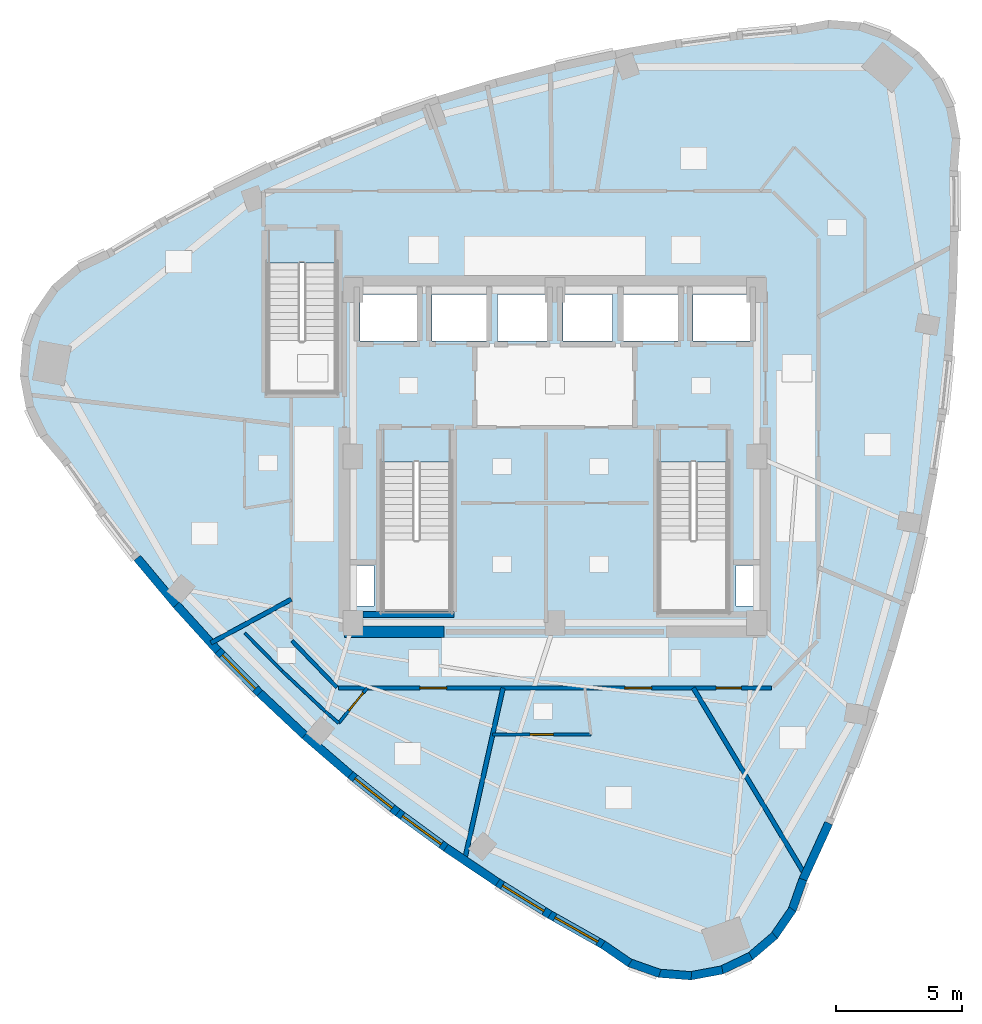
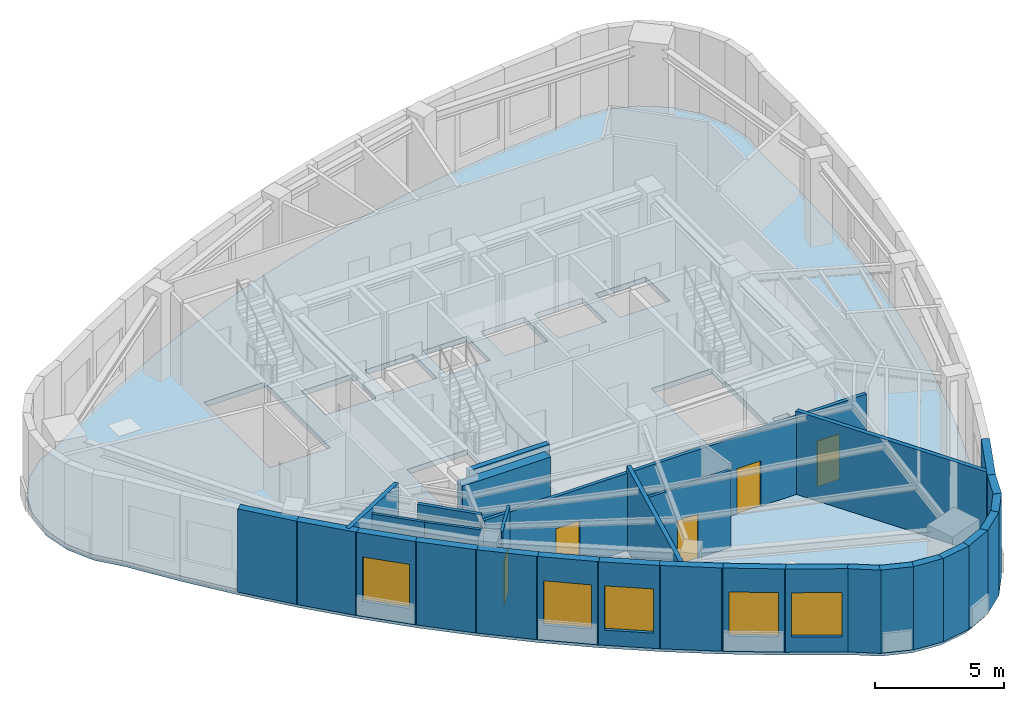
# One storey, part 2 of 9: 31 walls, 5 doors, 5 windows, 1 slab, 10 openings.
"""IFC4 building model written with IfcOpenShell, lengths in metres."""

from ifc_helpers import new_model, si_unit, direction, frame, frame_2d, origin, place, context, subcontext, project, spatial, polyline, rectangle, outline, extrude, material, layer, layer_set, type_object, element, fill, save


model = new_model("IFC4")

# Units and contexts
model_context = context("Model", 3, precision=1e-05, world=origin(), true_north=direction((0.0, 1.0)))
body_context = subcontext(model_context, "Body", "Model", "MODEL_VIEW")
ifc_project = project(units=[si_unit("LENGTHUNIT", "METRE"), si_unit("AREAUNIT", "SQUARE_METRE"), si_unit("VOLUMEUNIT", "CUBIC_METRE"), si_unit("PLANEANGLEUNIT", "RADIAN"), si_unit("MASSUNIT", "GRAM", prefix="KILO")], contexts=[model_context])

# Site, building, storey
site_placement = place(None, origin())
site = spatial("IfcSite", under=ifc_project, at=site_placement, CompositionType="ELEMENT")
building_placement = place(site_placement, origin())
building = spatial("IfcBuilding", under=site, at=building_placement, Name="Ndelora Gate Hotel", CompositionType="ELEMENT")
storey_placement = place(building_placement, frame((0.0, 0.0, 264.39990234375)))
storey = spatial("IfcBuildingStorey", under=building, at=storey_placement, Name="L66", CompositionType="ELEMENT", Elevation=264.39990234375)

# Slab
ifc_material_1 = material(Name="Concrete C40/50", Category="concrete")
ifc_layer_1 = layer(ifc_material_1, 0.25)
ifc_layer_set_1 = layer_set([ifc_layer_1], Name="Concrete C40/50")
slab_type = type_object("IfcSlabType", Name="SL-TWR-250", PredefinedType="FLOOR", material=ifc_layer_set_1)
slab_placement = place(storey_placement, frame((0.0, 0.0, -0.25)))
element("IfcSlab", 1, at=slab_placement, inside=storey, type_object=slab_type, Name="L66 Structural Floor Slab", PredefinedType="FLOOR", context=body_context, shape_type="SweptSolid", body=[
    extrude(outline(polyline([(-17.73193359375, 8.018798828125), (-18.863037109375, 7.4794921875), (-19.81591796875, 6.66552734375), (-20.525390625, 5.6328125), (-20.94384765625, 4.45166015625), (-21.0419921875, 3.20263671875), (-20.813720703125, 1.970458984375), (-20.2744140625, 0.839599609375), (-19.46044921875, -0.11328125), (-18.03662109375, -2.114990234375), (-16.54736328125, -4.044677734375), (-14.993408203125, -5.90185546875), (-13.3740234375, -7.686767578125), (-11.689697265625, -9.399658203125), (-9.9404296875, -11.0400390625), (-8.126220703125, -12.6083984375), (-6.24658203125, -14.104248046875), (-4.30224609375, -15.528076171875), (-2.292724609375, -16.87939453125), (-0.21826171875, -18.15869140625), (1.92138671875, -19.36572265625), (2.9541015625, -20.075439453125), (4.13525390625, -20.493896484375), (5.384521484375, -20.592041015625), (6.61669921875, -20.36376953125), (7.74755859375, -19.82421875), (8.700439453125, -19.010498046875), (9.41015625, -17.977783203125), (9.828369140625, -16.796630859375), (10.85009765625, -14.5625), (11.7763671875, -12.30810546875), (12.60791015625, -10.03369140625), (13.343994140625, -7.739013671875), (13.985107421875, -5.423828125), (14.53125, -3.088623046875), (14.982177734375, -0.7333984375), (15.337890625, 1.642333984375), (15.598876953125, 4.0380859375), (15.764404296875, 6.4541015625), (15.8349609375, 8.890380859375), (15.810546875, 11.346923828125), (15.90869140625, 12.59619140625), (15.680419921875, 13.828125), (15.14111328125, 14.959228515625), (14.3271484375, 15.912109375), (13.294677734375, 16.62158203125), (12.11328125, 17.0400390625), (10.8642578125, 17.13818359375), (9.632080078125, 16.909912109375), (7.1865234375, 16.677490234375), (4.77099609375, 16.352783203125), (2.385498046875, 15.935546875), (0.030029296875, 15.42578125), (-2.29541015625, 14.823486328125), (-4.5908203125, 14.12890625), (-6.85595703125, 13.341552734375), (-9.09130859375, 12.4619140625), (-11.29638671875, 11.489990234375), (-13.4716796875, 10.42529296875), (-15.616943359375, 9.268310546875), (-17.73193359375, 8.018798828125)]), holes=[polyline([(-6.85009765625, -0.22998046875), (-6.85009765625, -6.14990234375), (-4.1298828125, -6.14990234375), (-4.1298828125, -0.22998046875), (-6.85009765625, -0.22998046875)]), polyline([(4.1298828125, -0.22998046875), (4.1298828125, -6.14990234375), (6.85009765625, -6.14990234375), (6.85009765625, -0.22998046875), (4.1298828125, -0.22998046875)]), polyline([(-11.389892578125, 7.669921875), (-11.389892578125, 2.550048828125), (-8.669921875, 2.550048828125), (-8.669921875, 7.669921875), (-11.389892578125, 7.669921875)]), polyline([(-7.72998046875, 4.570068359375), (-5.469970703125, 4.570068359375), (-5.469970703125, 6.429931640625), (-7.72998046875, 6.429931640625), (-7.72998046875, 4.570068359375)]), polyline([(5.469970703125, 4.570068359375), (7.72998046875, 4.570068359375), (7.72998046875, 6.429931640625), (5.469970703125, 6.429931640625), (5.469970703125, 4.570068359375)]), polyline([(-4.8798828125, 4.570068359375), (-2.719970703125, 4.570068359375), (-2.719970703125, 6.429931640625), (-4.8798828125, 6.429931640625), (-4.8798828125, 4.570068359375)]), polyline([(2.719970703125, 4.570068359375), (4.8798828125, 4.570068359375), (4.8798828125, 6.429931640625), (2.719970703125, 6.429931640625), (2.719970703125, 4.570068359375)]), polyline([(-2.280029296875, 4.570068359375), (-0.320068359375, 4.570068359375), (-0.320068359375, 6.429931640625), (-2.280029296875, 6.429931640625), (-2.280029296875, 4.570068359375)]), polyline([(0.320068359375, 4.570068359375), (2.280029296875, 4.570068359375), (2.280029296875, 6.429931640625), (0.320068359375, 6.429931640625), (0.320068359375, 4.570068359375)]), polyline([(-7.89990234375, -5.919921875), (-7.179931640625, -5.919921875), (-7.179931640625, -4.320068359375), (-7.89990234375, -4.320068359375), (-7.89990234375, -5.919921875)]), polyline([(7.179931640625, -5.919921875), (7.89990234375, -5.919921875), (7.89990234375, -4.320068359375), (7.179931640625, -4.320068359375), (7.179931640625, -5.919921875)])]), origin(), (0.0, 0.0, 1.0), 0.25),
])

# Walls
ifc_material_2 = material(Name="Acoustic Double-Stud Gypsum Assembly", Category="gypsum")
ifc_layer_2 = layer(ifc_material_2, 0.179931640625)
ifc_layer_set_2 = layer_set([ifc_layer_2], Name="Acoustic Double-Stud Gypsum Assembly")
wall_type_1 = type_object("IfcWallType", Name="WL-ACOUST-180", PredefinedType="PARTITIONING", material=ifc_layer_set_2)
wall_1_placement = place(storey_placement, frame((-10.449951171875, -5.665283203125, 0.0), z_axis=(0.0, 0.0, 1.0), x_axis=(-0.87913221744, -0.476577951922, 0.0)))
element("IfcWall", 2, at=wall_1_placement, inside=storey, type_object=wall_type_1, Name="L66 Interior Wall IW-3", PredefinedType="PARTITIONING", context=body_context, shape_type="SweptSolid", body=[
    extrude(rectangle(XDim=3.6279296875, YDim=0.179931640625, at=frame_2d((1.81396484375, 0.0))), origin(), (0.0, 0.0, 1.0), 3.9501953125),
])
wall_2_placement = place(storey_placement, frame((-2.054931640625, -9.179931640625, 0.0), z_axis=(0.0, 0.0, 1.0), x_axis=(-0.218433184148, -0.97585190683, 0.0)))
element("IfcWall", 3, at=wall_2_placement, inside=storey, type_object=wall_type_1, Name="L66 Interior Wall IW-3", PredefinedType="PARTITIONING", context=body_context, shape_type="SweptSolid", body=[
    extrude(rectangle(XDim=7.0, YDim=0.179931640625, at=frame_2d((3.5, 0.0))), origin(), (0.0, 0.0, 1.0), 3.9501953125),
])
wall_3_placement = place(storey_placement, frame((5.488037109375, -9.179931640625, 0.0), z_axis=(0.0, 0.0, 1.0), x_axis=(0.513144382801, -0.858302302455, 0.0)))
element("IfcWall", 4, at=wall_3_placement, inside=storey, type_object=wall_type_1, Name="L66 Interior Wall IW-3", PredefinedType="PARTITIONING", context=body_context, shape_type="SweptSolid", body=[
    extrude(rectangle(XDim=8.638671875, YDim=0.179931640625, at=frame_2d((4.3193359375, 0.0))), origin(), (0.0, 0.0, 1.0), 3.9501953125),
])
ifc_material_3 = material(Name="Clay Brick Masonry", Category="masonry")
ifc_layer_3 = layer(ifc_material_3, 0.330078125)
ifc_layer_set_3 = layer_set([ifc_layer_3], Name="Clay Brick Masonry")
wall_type_2 = type_object("IfcWallType", Name="WL-BRICK-330", PredefinedType="SOLIDWALL", material=ifc_layer_set_3)
wall_4_placement = place(storey_placement, frame((-14.977294921875, -5.9208984375, 0.0), z_axis=(0.0, 0.0, 1.0), x_axis=(-0.641757017805, 0.76690803236, 0.0)))
element("IfcWall", 5, at=wall_4_placement, inside=storey, type_object=wall_type_2, Name="L66 Tower Brick Pier-and-Spandrel Wall TWR-11", PredefinedType="SOLIDWALL", context=body_context, shape_type="SweptSolid", body=[
    extrude(rectangle(XDim=2.4716796875, YDim=0.330078125, at=frame_2d((1.23583984375, 0.0))), origin(), (0.0, 0.0, 1.0), 3.9501953125),
])
wall_5_placement = place(storey_placement, frame((-13.357421875, -7.705322265625, 0.0), z_axis=(0.0, 0.0, 1.0), x_axis=(-0.671827602416, 0.740707548653, 0.0)))
element("IfcWall", 6, at=wall_5_placement, inside=storey, type_object=wall_type_2, Name="L66 Tower Brick Pier-and-Spandrel Wall TWR-12", PredefinedType="SOLIDWALL", context=body_context, shape_type="SweptSolid", body=[
    extrude(rectangle(XDim=2.4599609375, YDim=0.330078125, at=frame_2d((1.22998046875, 0.0))), origin(), (0.0, 0.0, 1.0), 3.9501953125),
])

# Wall, opening, window
wall_6_placement = place(storey_placement, frame((-11.67236328125, -9.41748046875, 0.0), z_axis=(0.0, 0.0, 1.0), x_axis=(-0.701107893647, 0.713055202257, 0.0)))
wall_6 = element("IfcWall", 7, at=wall_6_placement, inside=storey, type_object=wall_type_2, Name="L66 Tower Brick Pier-and-Spandrel Wall TWR-13", PredefinedType="SOLIDWALL", context=body_context, shape_type="SweptSolid", body=[
    extrude(rectangle(XDim=2.4521484375, YDim=0.330078125, at=frame_2d((1.22607421875, 0.0))), origin(), (0.0, 0.0, 1.0), 3.9501953125),
])
opening_1_placement = place(wall_6_placement, frame((0.281005859375, 0.0, 0.719970703125)))
opening_1 = element("IfcOpeningElement", 8, at=opening_1_placement, cuts=wall_6, Name="Opening W08", PredefinedType="OPENING", context=body_context, shape_type="SweptSolid", body=[
    extrude(rectangle(XDim=1.889892578125, YDim=2.10009765625, at=frame_2d((0.94482421875, 1.050048828125))), frame((0.0, 0.175048828125, 0.0), z_axis=(0.0, -1.0, 0.0), x_axis=(1.0, 0.0, 0.0)), (0.0, 0.0, 1.0), 0.35009765625),
])
ifc_material_4 = material(Name="Insulated Low-E Double Glazing in Bronze Aluminium Frame", Category="aluminium")
window_type = type_object("IfcWindowType", Name="WN-PENT-2250", PartitioningType="SINGLE_PANEL", PredefinedType="WINDOW", material=ifc_material_4)
window_1_placement = place(opening_1_placement, origin())
window_1 = element("IfcWindow", 9, at=window_1_placement, inside=storey, type_object=window_type, Name="L66 Deep-Set Brick-Pier Window W08", OverallHeight=2.10009765625, OverallWidth=1.889892578125, PartitioningType="SINGLE_PANEL", PredefinedType="WINDOW", context=body_context, shape_type="SweptSolid", body=[
    extrude(rectangle(XDim=1.889892578125, YDim=2.10009765625, at=frame_2d((0.94482421875, 1.050048828125))), frame((0.0, 0.030029296875, 0.0), z_axis=(0.0, -1.0, 0.0), x_axis=(1.0, 0.0, 0.0)), (0.0, 0.0, 1.0), 0.06005859375),
])
fill(opening_1, window_1)

# Walls
wall_7_placement = place(storey_placement, frame((-9.92236328125, -11.05712890625, 0.0), z_axis=(0.0, 0.0, 1.0), x_axis=(-0.72943145169, 0.68405391402, 0.0)))
element("IfcWall", 10, at=wall_7_placement, inside=storey, type_object=wall_type_2, Name="L66 Tower Brick Pier-and-Spandrel Wall TWR-14", PredefinedType="SOLIDWALL", context=body_context, shape_type="SweptSolid", body=[
    extrude(rectangle(XDim=2.447998046875, YDim=0.330078125, at=frame_2d((1.22412109375, 0.0))), origin(), (0.0, 0.0, 1.0), 3.9501953125),
])
wall_8_placement = place(storey_placement, frame((-8.107177734375, -12.62451171875, 0.0), z_axis=(0.0, 0.0, 1.0), x_axis=(-0.756596491388, 0.653882060634, 0.0)))
element("IfcWall", 11, at=wall_8_placement, inside=storey, type_object=wall_type_2, Name="L66 Tower Brick Pier-and-Spandrel Wall TWR-15", PredefinedType="SOLIDWALL", context=body_context, shape_type="SweptSolid", body=[
    extrude(rectangle(XDim=2.4482421875, YDim=0.330078125, at=frame_2d((1.22412109375, 0.0))), origin(), (0.0, 0.0, 1.0), 3.9501953125),
])

# Wall, opening, window
wall_9_placement = place(storey_placement, frame((-6.22705078125, -14.119873046875, 0.0), z_axis=(0.0, 0.0, 1.0), x_axis=(-0.782430159528, 0.622738344299, 0.0)))
wall_9 = element("IfcWall", 12, at=wall_9_placement, inside=storey, type_object=wall_type_2, Name="L66 Tower Brick Pier-and-Spandrel Wall TWR-16", PredefinedType="SOLIDWALL", context=body_context, shape_type="SweptSolid", body=[
    extrude(rectangle(XDim=2.4521484375, YDim=0.330078125, at=frame_2d((1.22607421875, 0.0))), origin(), (0.0, 0.0, 1.0), 3.9501953125),
])
opening_2_placement = place(wall_9_placement, frame((0.281005859375, 0.0, 0.719970703125)))
opening_2 = element("IfcOpeningElement", 13, at=opening_2_placement, cuts=wall_9, Name="Opening W08", PredefinedType="OPENING", context=body_context, shape_type="SweptSolid", body=[
    extrude(rectangle(XDim=1.889892578125, YDim=2.10009765625, at=frame_2d((0.94482421875, 1.050048828125))), frame((0.0, 0.175048828125, 0.0), z_axis=(0.0, -1.0, 0.0), x_axis=(1.0, 0.0, 0.0)), (0.0, 0.0, 1.0), 0.35009765625),
])
window_2_placement = place(opening_2_placement, origin())
window_2 = element("IfcWindow", 14, at=window_2_placement, inside=storey, type_object=window_type, Name="L66 Deep-Set Brick-Pier Window W08", OverallHeight=2.10009765625, OverallWidth=1.889892578125, PartitioningType="SINGLE_PANEL", PredefinedType="WINDOW", context=body_context, shape_type="SweptSolid", body=[
    extrude(rectangle(XDim=1.889892578125, YDim=2.10009765625, at=frame_2d((0.94482421875, 1.050048828125))), frame((0.0, 0.030029296875, 0.0), z_axis=(0.0, -1.0, 0.0), x_axis=(1.0, 0.0, 0.0)), (0.0, 0.0, 1.0), 0.06005859375),
])
fill(opening_2, window_2)

wall_10_placement = place(storey_placement, frame((-4.281982421875, -15.542724609375, 0.0), z_axis=(0.0, 0.0, 1.0), x_axis=(-0.806878025258, 0.59071808196, 0.0)))
wall_10 = element("IfcWall", 15, at=wall_10_placement, inside=storey, type_object=wall_type_2, Name="L66 Tower Brick Pier-and-Spandrel Wall TWR-17", PredefinedType="SOLIDWALL", context=body_context, shape_type="SweptSolid", body=[
    extrude(rectangle(XDim=2.4599609375, YDim=0.330078125, at=frame_2d((1.22998046875, 0.0))), origin(), (0.0, 0.0, 1.0), 3.9501953125),
])
opening_3_placement = place(wall_10_placement, frame((0.27978515625, 0.0, 0.719970703125)))
opening_3 = element("IfcOpeningElement", 16, at=opening_3_placement, cuts=wall_10, Name="Opening W08", PredefinedType="OPENING", context=body_context, shape_type="SweptSolid", body=[
    extrude(rectangle(XDim=1.89990234375, YDim=2.10009765625, at=frame_2d((0.949951171875, 1.050048828125))), frame((0.0, 0.175048828125, 0.0), z_axis=(0.0, -1.0, 0.0), x_axis=(1.0, 0.0, 0.0)), (0.0, 0.0, 1.0), 0.35009765625),
])
window_3_placement = place(opening_3_placement, origin())
window_3 = element("IfcWindow", 17, at=window_3_placement, inside=storey, type_object=window_type, Name="L66 Deep-Set Brick-Pier Window W08", OverallHeight=2.10009765625, OverallWidth=1.89990234375, PartitioningType="SINGLE_PANEL", PredefinedType="WINDOW", context=body_context, shape_type="SweptSolid", body=[
    extrude(rectangle(XDim=1.89990234375, YDim=2.10009765625, at=frame_2d((0.949951171875, 1.050048828125))), frame((0.0, 0.030029296875, 0.0), z_axis=(0.0, -1.0, 0.0), x_axis=(1.0, 0.0, 0.0)), (0.0, 0.0, 1.0), 0.06005859375),
])
fill(opening_3, window_3)

# Wall
wall_11_placement = place(storey_placement, frame((-2.27197265625, -16.8935546875, 0.0), z_axis=(0.0, 0.0, 1.0), x_axis=(-0.829748723079, 0.558137130594, 0.0)))
element("IfcWall", 18, at=wall_11_placement, inside=storey, type_object=wall_type_2, Name="L66 Tower Brick Pier-and-Spandrel Wall TWR-18", PredefinedType="SOLIDWALL", context=body_context, shape_type="SweptSolid", body=[
    extrude(rectangle(XDim=2.471923828125, YDim=0.330078125, at=frame_2d((1.23583984375, 0.0))), origin(), (0.0, 0.0, 1.0), 3.9501953125),
])

# Wall, opening, window
wall_12_placement = place(storey_placement, frame((-0.197021484375, -18.171875, 0.0), z_axis=(0.0, 0.0, 1.0), x_axis=(-0.851175986277, 0.524880405792, 0.0)))
wall_12 = element("IfcWall", 19, at=wall_12_placement, inside=storey, type_object=wall_type_2, Name="L66 Tower Brick Pier-and-Spandrel Wall TWR-19", PredefinedType="SOLIDWALL", context=body_context, shape_type="SweptSolid", body=[
    extrude(rectangle(XDim=2.487060546875, YDim=0.330078125, at=frame_2d((1.24365234375, 0.0))), origin(), (0.0, 0.0, 1.0), 3.9501953125),
])
opening_4_placement = place(wall_12_placement, frame((0.278564453125, 0.0, 0.719970703125)))
opening_4 = element("IfcOpeningElement", 20, at=opening_4_placement, cuts=wall_12, Name="Opening W08", PredefinedType="OPENING", context=body_context, shape_type="SweptSolid", body=[
    extrude(rectangle(XDim=1.929931640625, YDim=2.10009765625, at=frame_2d((0.96484375, 1.050048828125))), frame((0.0, 0.175048828125, 0.0), z_axis=(0.0, -1.0, 0.0), x_axis=(1.0, 0.0, 0.0)), (0.0, 0.0, 1.0), 0.35009765625),
])
window_4_placement = place(opening_4_placement, origin())
window_4 = element("IfcWindow", 21, at=window_4_placement, inside=storey, type_object=window_type, Name="L66 Deep-Set Brick-Pier Window W08", OverallHeight=2.10009765625, OverallWidth=1.929931640625, PartitioningType="SINGLE_PANEL", PredefinedType="WINDOW", context=body_context, shape_type="SweptSolid", body=[
    extrude(rectangle(XDim=1.929931640625, YDim=2.10009765625, at=frame_2d((0.96484375, 1.050048828125))), frame((0.0, 0.030029296875, 0.0), z_axis=(0.0, -1.0, 0.0), x_axis=(1.0, 0.0, 0.0)), (0.0, 0.0, 1.0), 0.06005859375),
])
fill(opening_4, window_4)

wall_13_placement = place(storey_placement, frame((1.943359375, -19.378173828125, 0.0), z_axis=(0.0, 0.0, 1.0), x_axis=(-0.870968849899, 0.491338236357, 0.0)))
wall_13 = element("IfcWall", 22, at=wall_13_placement, inside=storey, type_object=wall_type_2, Name="L66 Tower Brick Pier-and-Spandrel Wall TWR-20", PredefinedType="SOLIDWALL", context=body_context, shape_type="SweptSolid", body=[
    extrude(rectangle(XDim=2.5068359375, YDim=0.330078125, at=frame_2d((1.25341796875, 0.0))), origin(), (0.0, 0.0, 1.0), 3.9501953125),
])
opening_5_placement = place(wall_13_placement, frame((0.2783203125, 0.0, 0.719970703125)))
opening_5 = element("IfcOpeningElement", 23, at=opening_5_placement, cuts=wall_13, Name="Opening W08", PredefinedType="OPENING", context=body_context, shape_type="SweptSolid", body=[
    extrude(rectangle(XDim=1.949951171875, YDim=2.10009765625, at=frame_2d((0.97509765625, 1.050048828125))), frame((0.0, 0.175048828125, 0.0), z_axis=(0.0, -1.0, 0.0), x_axis=(1.0, 0.0, 0.0)), (0.0, 0.0, 1.0), 0.35009765625),
])
window_5_placement = place(opening_5_placement, origin())
window_5 = element("IfcWindow", 24, at=window_5_placement, inside=storey, type_object=window_type, Name="L66 Deep-Set Brick-Pier Window W08", OverallHeight=2.10009765625, OverallWidth=1.949951171875, PartitioningType="SINGLE_PANEL", PredefinedType="WINDOW", context=body_context, shape_type="SweptSolid", body=[
    extrude(rectangle(XDim=1.949951171875, YDim=2.10009765625, at=frame_2d((0.97509765625, 1.050048828125))), frame((0.0, 0.030029296875, 0.0), z_axis=(0.0, -1.0, 0.0), x_axis=(1.0, 0.0, 0.0)), (0.0, 0.0, 1.0), 0.06005859375),
])
fill(opening_5, window_5)

# Walls
wall_14_placement = place(storey_placement, frame((2.974609375, -20.089599609375, 0.0), z_axis=(0.0, 0.0, 1.0), x_axis=(-0.824096593529, 0.566449295643, 0.0)))
element("IfcWall", 25, at=wall_14_placement, inside=storey, type_object=wall_type_2, Name="L66 Tower Brick Pier-and-Spandrel Wall TWR-21", PredefinedType="SOLIDWALL", context=body_context, shape_type="SweptSolid", body=[
    extrude(rectangle(XDim=1.302978515625, YDim=0.330078125, at=frame_2d((0.6513671875, 0.0))), origin(), (0.0, 0.0, 1.0), 3.9501953125),
])
wall_15_placement = place(storey_placement, frame((4.158935546875, -20.502197265625, 0.0), z_axis=(0.0, 0.0, 1.0), x_axis=(-0.942637049927, 0.333819400431, 0.0)))
element("IfcWall", 26, at=wall_15_placement, inside=storey, type_object=wall_type_2, Name="L66 Tower Brick Pier-and-Spandrel Wall TWR-22", PredefinedType="SOLIDWALL", context=body_context, shape_type="SweptSolid", body=[
    extrude(rectangle(XDim=1.30322265625, YDim=0.330078125, at=frame_2d((0.651611328125, 0.0))), origin(), (0.0, 0.0, 1.0), 3.9501953125),
])
for number, where, z_axis, x_axis, name in (
    (27, (5.409423828125, -20.593994140625, 0.0), (0.0, 0.0, 1.0), (-0.996913988439, 0.078501590144, 0.0), "L66 Tower Brick Pier-and-Spandrel Wall TWR-23"),
    (28, (6.64111328125, -20.359130859375, 0.0), (0.0, 0.0, 1.0), (-0.983243468193, -0.182297236005, 0.0), "L66 Tower Brick Pier-and-Spandrel Wall TWR-24"),
):
    element("IfcWall", number, at=place(storey_placement, frame(where, z_axis=z_axis, x_axis=x_axis)), inside=storey, type_object=wall_type_2, Name=name, PredefinedType="SOLIDWALL", context=body_context, shape_type="SweptSolid", body=[
        extrude(rectangle(XDim=1.302978515625, YDim=0.330078125, at=frame_2d((0.6513671875, 0.0))), origin(), (0.0, 0.0, 1.0), 3.9501953125),
    ])
wall_16_placement = place(storey_placement, frame((7.770263671875, -19.8134765625, 0.0), z_axis=(0.0, 0.0, 1.0), x_axis=(-0.902590242775, -0.430500701099, 0.0)))
element("IfcWall", 29, at=wall_16_placement, inside=storey, type_object=wall_type_2, Name="L66 Tower Brick Pier-and-Spandrel Wall TWR-25", PredefinedType="SOLIDWALL", context=body_context, shape_type="SweptSolid", body=[
    extrude(rectangle(XDim=1.30322265625, YDim=0.330078125, at=frame_2d((0.651611328125, 0.0))), origin(), (0.0, 0.0, 1.0), 3.9501953125),
])
for number, where, z_axis, x_axis, name in (
    (30, (8.719482421875, -18.994384765625, 0.0), (0.0, 0.0, 1.0), (-0.760471977712, -0.649370750123, 0.0), "L66 Tower Brick Pier-and-Spandrel Wall TWR-26"),
    (31, (9.42431640625, -17.957275390625, 0.0), (0.0, 0.0, 1.0), (-0.566449295643, -0.824096593529, 0.0), "L66 Tower Brick Pier-and-Spandrel Wall TWR-27"),
):
    element("IfcWall", number, at=place(storey_placement, frame(where, z_axis=z_axis, x_axis=x_axis)), inside=storey, type_object=wall_type_2, Name=name, PredefinedType="SOLIDWALL", context=body_context, shape_type="SweptSolid", body=[
        extrude(rectangle(XDim=1.302978515625, YDim=0.330078125, at=frame_2d((0.6513671875, 0.0))), origin(), (0.0, 0.0, 1.0), 3.9501953125),
    ])
wall_17_placement = place(storey_placement, frame((9.836669921875, -16.77294921875, 0.0), z_axis=(0.0, 0.0, 1.0), x_axis=(-0.333652931337, -0.942695985676, 0.0)))
element("IfcWall", 32, at=wall_17_placement, inside=storey, type_object=wall_type_2, Name="L66 Tower Brick Pier-and-Spandrel Wall TWR-28", PredefinedType="SOLIDWALL", context=body_context, shape_type="SweptSolid", body=[
    extrude(rectangle(XDim=1.30322265625, YDim=0.330078125, at=frame_2d((0.651611328125, 0.0))), origin(), (0.0, 0.0, 1.0), 3.9501953125),
])
wall_18_placement = place(storey_placement, frame((10.8603515625, -14.539794921875, 0.0), z_axis=(0.0, 0.0, 1.0), x_axis=(-0.415812703035, -0.909450271315, 0.0)))
element("IfcWall", 33, at=wall_18_placement, inside=storey, type_object=wall_type_2, Name="L66 Tower Brick Pier-and-Spandrel Wall TWR-29", PredefinedType="SOLIDWALL", context=body_context, shape_type="SweptSolid", body=[
    extrude(rectangle(XDim=2.506591796875, YDim=0.330078125, at=frame_2d((1.25341796875, 0.0))), origin(), (0.0, 0.0, 1.0), 3.9501953125),
])
ifc_material_5 = material(Name="Concrete C50/60", Category="concrete")
ifc_layer_4 = layer(ifc_material_5, 0.449951171875)
ifc_layer_set_4 = layer_set([ifc_layer_4], Name="Concrete C50/60")
wall_type_3 = type_object("IfcWallType", Name="WL-CORE-450", PredefinedType="SHEAR", material=ifc_layer_set_4)
wall_19_placement = place(storey_placement, frame((-8.35009765625, -6.949951171875, 0.0), z_axis=(0.0, 0.0, 1.0), x_axis=(1.0, 0.0, 0.0)))
element("IfcWall", 34, at=wall_19_placement, inside=storey, type_object=wall_type_3, Name="L66 Core Shear Wall S-W", PredefinedType="SHEAR", context=body_context, shape_type="SweptSolid", body=[
    extrude(rectangle(XDim=3.9501953125, YDim=0.449951171875, at=frame_2d((1.97509765625, 0.0))), origin(), (0.0, 0.0, 1.0), 3.9501953125),
])

# Wall, openings, doors
ifc_material_6 = material(Name="Fire-Rated Gypsum Stud Partition", Category="gypsum")
ifc_layer_5 = layer(ifc_material_6, 0.14990234375)
ifc_layer_set_5 = layer_set([ifc_layer_5], Name="Fire-Rated Gypsum Stud Partition")
wall_type_4 = type_object("IfcWallType", Name="WL-PART-150", PredefinedType="PARTITIONING", material=ifc_layer_set_5)
wall_20_placement = place(storey_placement, frame((8.580078125, -9.179931640625, 0.0), z_axis=(0.0, 0.0, 1.0), x_axis=(-1.0, 0.0, 0.0)))
wall_20 = element("IfcWall", 35, at=wall_20_placement, inside=storey, type_object=wall_type_4, Name="L66 Interior Wall IW-5", PredefinedType="PARTITIONING", context=body_context, shape_type="SweptSolid", body=[
    extrude(rectangle(XDim=17.16015625, YDim=0.14990234375, at=frame_2d((8.580078125, 0.0))), origin(), (0.0, 0.0, 1.0), 3.66015625),
])
opening_6_placement = place(wall_20_placement, frame((12.871337890625, 0.0, 0.0)))
opening_6 = element("IfcOpeningElement", 36, at=opening_6_placement, cuts=wall_20, Name="Opening D07", PredefinedType="OPENING", context=body_context, shape_type="SweptSolid", body=[
    extrude(rectangle(XDim=1.06005859375, YDim=2.14990234375, at=frame_2d((0.530029296875, 1.074951171875))), frame((0.0, 0.0849609375, 0.0), z_axis=(0.0, -1.0, 0.0), x_axis=(1.0, 0.0, 0.0)), (0.0, 0.0, 1.0), 0.169921875),
])
opening_7_placement = place(wall_20_placement, frame((1.185791015625, 0.0, 0.0)))
opening_7 = element("IfcOpeningElement", 37, at=opening_7_placement, cuts=wall_20, Name="Opening D01", PredefinedType="OPENING", context=body_context, shape_type="SweptSolid", body=[
    extrude(rectangle(XDim=1.0, YDim=2.14990234375, at=frame_2d((0.5, 1.074951171875))), frame((0.0, 0.0849609375, 0.0), z_axis=(0.0, -1.0, 0.0), x_axis=(1.0, 0.0, 0.0)), (0.0, 0.0, 1.0), 0.169921875),
])
opening_8_placement = place(wall_20_placement, frame((4.7470703125, 0.0, 0.0)))
opening_8 = element("IfcOpeningElement", 38, at=opening_8_placement, cuts=wall_20, Name="Opening D07", PredefinedType="OPENING", context=body_context, shape_type="SweptSolid", body=[
    extrude(rectangle(XDim=1.06005859375, YDim=2.14990234375, at=frame_2d((0.530029296875, 1.074951171875))), frame((0.0, 0.0849609375, 0.0), z_axis=(0.0, -1.0, 0.0), x_axis=(1.0, 0.0, 0.0)), (0.0, 0.0, 1.0), 0.169921875),
])
ifc_material_7 = material(Name="Acoustic Hardwood Guest Entrance Door", Category="wood")
door_type_1 = type_object("IfcDoorType", Name="DR-COR-1000", OperationType="SINGLE_SWING_LEFT", PredefinedType="DOOR", material=ifc_material_7)
door_1_placement = place(opening_7_placement, origin())
door_1 = element("IfcDoor", 39, at=door_1_placement, inside=storey, type_object=door_type_1, Name="L66 Summit Collector Study Entrance Door", OperationType="SINGLE_SWING_RIGHT", OverallHeight=2.14990234375, OverallWidth=1.0, PredefinedType="DOOR", context=body_context, shape_type="SweptSolid", body=[
    extrude(rectangle(XDim=1.0, YDim=2.14990234375, at=frame_2d((0.5, 1.074951171875))), frame((0.0, 0.02490234375, 0.0), z_axis=(0.0, -1.0, 0.0), x_axis=(1.0, 0.0, 0.0)), (0.0, 0.0, 1.0), 0.050048828125),
])
fill(opening_7, door_1)
ifc_material_8 = material(Name="Diplomatic Suite Acoustic Entrance Door", Category="wood")
door_type_2 = type_object("IfcDoorType", Name="DR-SUITE-1060", OperationType="SINGLE_SWING_LEFT", PredefinedType="DOOR", material=ifc_material_8)
door_2_placement = place(opening_6_placement, origin())
door_2 = element("IfcDoor", 40, at=door_2_placement, inside=storey, type_object=door_type_2, Name="L66 Presidential Summit Suite 6902 Entrance Door", OperationType="SINGLE_SWING_LEFT", OverallHeight=2.14990234375, OverallWidth=1.06005859375, PredefinedType="DOOR", context=body_context, shape_type="SweptSolid", body=[
    extrude(rectangle(XDim=1.06005859375, YDim=2.14990234375, at=frame_2d((0.530029296875, 1.074951171875))), frame((0.0, 0.02490234375, 0.0), z_axis=(0.0, -1.0, 0.0), x_axis=(1.0, 0.0, 0.0)), (0.0, 0.0, 1.0), 0.050048828125),
])
fill(opening_6, door_2)
door_3_placement = place(opening_8_placement, origin())
door_3 = element("IfcDoor", 41, at=door_3_placement, inside=storey, type_object=door_type_2, Name="L66 Crown Diplomatic Suite 6903 Entrance Door", OperationType="SINGLE_SWING_LEFT", OverallHeight=2.14990234375, OverallWidth=1.06005859375, PredefinedType="DOOR", context=body_context, shape_type="SweptSolid", body=[
    extrude(rectangle(XDim=1.06005859375, YDim=2.14990234375, at=frame_2d((0.530029296875, 1.074951171875))), frame((0.0, 0.02490234375, 0.0), z_axis=(0.0, -1.0, 0.0), x_axis=(1.0, 0.0, 0.0)), (0.0, 0.0, 1.0), 0.050048828125),
])
fill(opening_8, door_3)

# Walls
wall_21_placement = place(storey_placement, frame((-8.647705078125, -9.151123046875, 0.0), z_axis=(0.0, 0.0, 1.0), x_axis=(-0.693764562202, 0.720201869085, 0.0)))
element("IfcWall", 42, at=wall_21_placement, inside=storey, type_object=wall_type_4, Name="L66 Interior Wall IW-5", PredefinedType="PARTITIONING", context=body_context, shape_type="SweptSolid", body=[
    extrude(rectangle(XDim=2.55810546875, YDim=0.14990234375, at=frame_2d((1.279052734375, 0.0))), origin(), (0.0, 0.0, 1.0), 3.9501953125),
])
ifc_layer_6 = layer(ifc_material_5, 0.239990234375)
ifc_layer_set_6 = layer_set([ifc_layer_6], Name="Concrete C50/60")
wall_type_5 = type_object("IfcWallType", Name="WL-STAIR-240", PredefinedType="SHEAR", material=ifc_layer_set_6)
wall_22_placement = place(storey_placement, frame((-7.60009765625, -6.27001953125, 0.0), z_axis=(0.0, 0.0, 1.0), x_axis=(1.0, 0.0, 0.0)))
element("IfcWall", 43, at=wall_22_placement, inside=storey, type_object=wall_type_5, Name="L66 Stair Core Shear Wall SW-ST", PredefinedType="SHEAR", context=body_context, shape_type="SweptSolid", body=[
    extrude(rectangle(XDim=3.590087890625, YDim=0.239990234375, at=frame_2d((1.794921875, 0.0))), origin(), (0.0, 0.0, 1.0), 3.9501953125),
])

# Wall, opening, door
ifc_material_9 = material(Name="Moisture-Resistant Bathroom Tile Partition", Category="gypsum")
ifc_layer_7 = layer(ifc_material_9, 0.1201171875)
ifc_layer_set_7 = layer_set([ifc_layer_7], Name="Moisture-Resistant Bathroom Tile Partition")
wall_type_6 = type_object("IfcWallType", Name="WL-WET-120", PredefinedType="PARTITIONING", material=ifc_layer_set_7)
wall_23_placement = place(storey_placement, frame((-7.44287109375, -9.179931640625, 0.0), z_axis=(0.0, 0.0, 1.0), x_axis=(-0.629750844472, -0.776797189675, 0.0)))
wall_23 = element("IfcWall", 44, at=wall_23_placement, inside=storey, type_object=wall_type_6, Name="L66 Interior Wall IW-7", PredefinedType="PARTITIONING", context=body_context, shape_type="SweptSolid", body=[
    extrude(rectangle(XDim=1.79150390625, YDim=0.1201171875, at=frame_2d((0.895751953125, 0.0))), origin(), (0.0, 0.0, 1.0), 3.9501953125),
])
opening_9_placement = place(wall_23_placement, frame((0.239990234375, 0.0, 0.0)))
opening_9 = element("IfcOpeningElement", 45, at=opening_9_placement, cuts=wall_23, Name="Opening D03", PredefinedType="OPENING", context=body_context, shape_type="SweptSolid", body=[
    extrude(rectangle(XDim=0.919921875, YDim=2.10009765625, at=frame_2d((0.4599609375, 1.050048828125))), frame((0.0, 0.070068359375, 0.0), z_axis=(0.0, -1.0, 0.0), x_axis=(1.0, 0.0, 0.0)), (0.0, 0.0, 1.0), 0.14013671875),
])
ifc_material_10 = material(Name="Moisture-Resistant Hardwood En-Suite Door", Category="wood")
door_type_3 = type_object("IfcDoorType", Name="DR-BATH-920", OperationType="SINGLE_SWING_LEFT", PredefinedType="DOOR", material=ifc_material_10)
door_4_placement = place(opening_9_placement, origin())
door_4 = element("IfcDoor", 46, at=door_4_placement, inside=storey, type_object=door_type_3, Name="L66 En-suite Bathroom 6902 Door", OperationType="SINGLE_SWING_LEFT", OverallHeight=2.10009765625, OverallWidth=0.919921875, PredefinedType="DOOR", context=body_context, shape_type="SweptSolid", body=[
    extrude(rectangle(XDim=0.919921875, YDim=2.10009765625, at=frame_2d((0.4599609375, 1.050048828125))), frame((0.0, 0.02490234375, 0.0), z_axis=(0.0, -1.0, 0.0), x_axis=(1.0, 0.0, 0.0)), (0.0, 0.0, 1.0), 0.050048828125),
])
fill(opening_9, door_4)

# Walls
wall_24_placement = place(storey_placement, frame((-9.10400390625, -10.11083984375, 0.0), z_axis=(0.0, 0.0, 1.0), x_axis=(0.756534614859, -0.653953650132, 0.0)))
element("IfcWall", 47, at=wall_24_placement, inside=storey, type_object=wall_type_6, Name="L66 Interior Wall IW-7", PredefinedType="PARTITIONING", context=body_context, shape_type="SweptSolid", body=[
    extrude(rectangle(XDim=0.70458984375, YDim=0.1201171875, at=frame_2d((0.352294921875, 0.0))), origin(), (0.0, 0.0, 1.0), 3.9501953125),
])
wall_25_placement = place(storey_placement, frame((-10.81640625, -8.505126953125, 0.0), z_axis=(0.0, 0.0, 1.0), x_axis=(0.729465847855, -0.684017234295, 0.0)))
element("IfcWall", 48, at=wall_25_placement, inside=storey, type_object=wall_type_6, Name="L66 Interior Wall IW-7", PredefinedType="PARTITIONING", context=body_context, shape_type="SweptSolid", body=[
    extrude(rectangle(XDim=2.347412109375, YDim=0.1201171875, at=frame_2d((1.173828125, 0.0))), origin(), (0.0, 0.0, 1.0), 3.9501953125),
])
wall_26_placement = place(storey_placement, frame((-12.300048828125, -6.996337890625, 0.0), z_axis=(0.0, 0.0, 1.0), x_axis=(0.701139951814, -0.713023679811, 0.0)))
element("IfcWall", 49, at=wall_26_placement, inside=storey, type_object=wall_type_6, Name="L66 Interior Wall IW-7", PredefinedType="PARTITIONING", context=body_context, shape_type="SweptSolid", body=[
    extrude(rectangle(XDim=2.115966796875, YDim=0.1201171875, at=frame_2d((1.05810546875, 0.0))), origin(), (0.0, 0.0, 1.0), 3.9501953125),
])

# Wall, opening, door
wall_27_placement = place(storey_placement, frame((1.43017578125, -11.030029296875, 0.0), z_axis=(0.0, 0.0, 1.0), x_axis=(-1.0, 0.0, 0.0)))
wall_27 = element("IfcWall", 50, at=wall_27_placement, inside=storey, type_object=wall_type_6, Name="L66 Interior Wall IW-7", PredefinedType="PARTITIONING", context=body_context, shape_type="SweptSolid", body=[
    extrude(rectangle(XDim=3.899169921875, YDim=0.1201171875, at=frame_2d((1.94970703125, 0.0))), origin(), (0.0, 0.0, 1.0), 3.66015625),
])
opening_10_placement = place(wall_27_placement, frame((1.489501953125, 0.0, 0.0)))
opening_10 = element("IfcOpeningElement", 51, at=opening_10_placement, cuts=wall_27, Name="Opening D03", PredefinedType="OPENING", context=body_context, shape_type="SweptSolid", body=[
    extrude(rectangle(XDim=0.919921875, YDim=2.10009765625, at=frame_2d((0.4599609375, 1.050048828125))), frame((0.0, 0.070068359375, 0.0), z_axis=(0.0, -1.0, 0.0), x_axis=(1.0, 0.0, 0.0)), (0.0, 0.0, 1.0), 0.14013671875),
])
door_5_placement = place(opening_10_placement, origin())
door_5 = element("IfcDoor", 52, at=door_5_placement, inside=storey, type_object=door_type_3, Name="L66 En-suite Bathroom 6903 Door", OperationType="SINGLE_SWING_RIGHT", OverallHeight=2.10009765625, OverallWidth=0.919921875, PredefinedType="DOOR", context=body_context, shape_type="SweptSolid", body=[
    extrude(rectangle(XDim=0.919921875, YDim=2.10009765625, at=frame_2d((0.4599609375, 1.050048828125))), frame((0.0, 0.02490234375, 0.0), z_axis=(0.0, -1.0, 0.0), x_axis=(1.0, 0.0, 0.0)), (0.0, 0.0, 1.0), 0.050048828125),
])
fill(opening_10, door_5)

save(model, "model.ifc")
